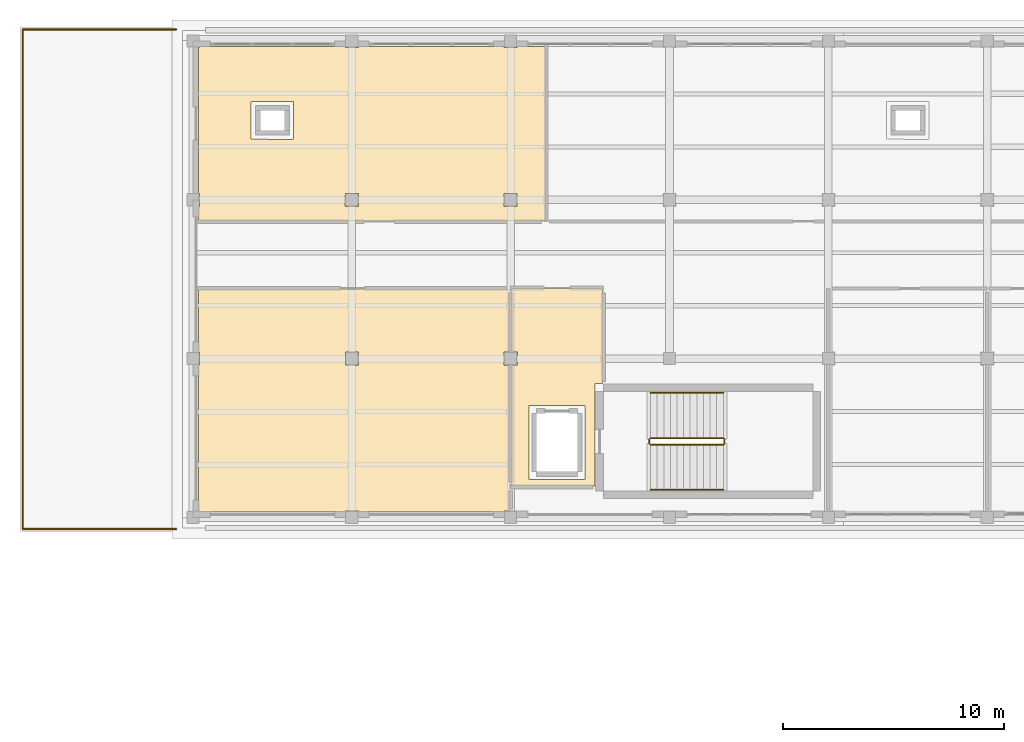
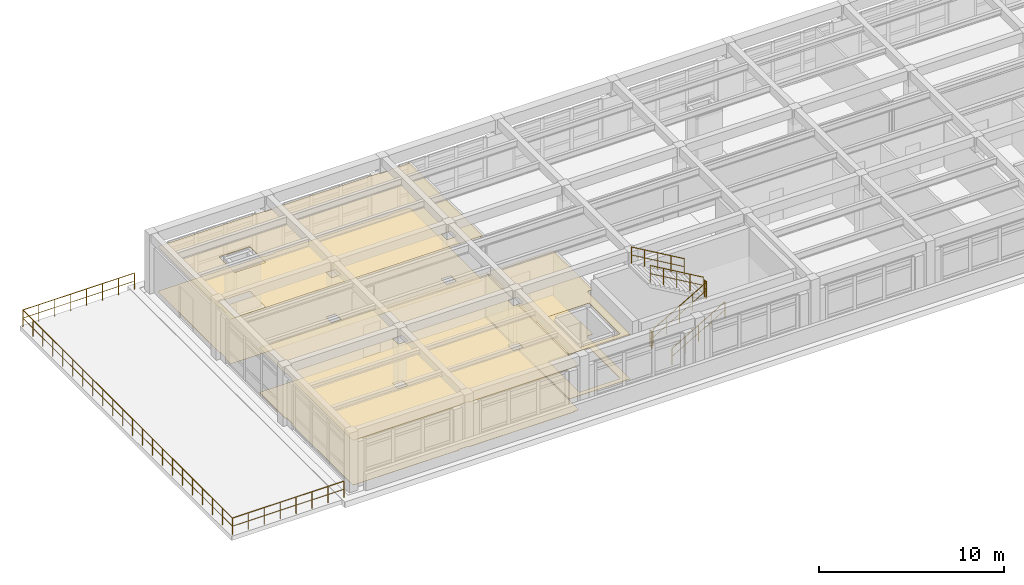
# One storey, part 18 of 21: 9 railings, 6 coverings.
"""IFC4 building model written with IfcOpenShell, lengths in metres."""

from ifc_helpers import new_model, si_unit, direction, frame, origin, origin_2d, place, context, subcontext, project, spatial, polyline, circle, outline, extrude, material, layer, layer_set, type_object, element, save


model = new_model("IFC4")

# Units and contexts
model_context = context("Model", 3, precision=1e-05, world=origin(), true_north=direction((0.0, 1.0)))
body_context = subcontext(model_context, "Body", "Model", "MODEL_VIEW")
ifc_project = project(units=[si_unit("LENGTHUNIT", "METRE"), si_unit("AREAUNIT", "SQUARE_METRE"), si_unit("VOLUMEUNIT", "CUBIC_METRE"), si_unit("PLANEANGLEUNIT", "RADIAN"), si_unit("MASSUNIT", "GRAM", prefix="KILO")], contexts=[model_context])

# Site, building, storey
site_placement = place(None, origin())
site = spatial("IfcSite", under=ifc_project, at=site_placement, CompositionType="ELEMENT")
building_placement = place(site_placement, origin())
building = spatial("IfcBuilding", under=site, at=building_placement, Name="Solenvale Faculty of Natural Sciences", CompositionType="ELEMENT")
storey_placement = place(building_placement, frame((0.0, 0.0, 31.199951171875)))
storey = spatial("IfcBuildingStorey", under=building, at=storey_placement, Name="L07", CompositionType="ELEMENT", Elevation=31.199951171875)

# Coverings
ifc_material_1 = material(Name="Acoustic mineral-timber ceiling", Category="wood")
ifc_layer_1 = layer(ifc_material_1, 0.02490234375)
ifc_layer_set_1 = layer_set([ifc_layer_1], Name="Acoustic mineral-timber ceiling")
covering_type_1 = type_object("IfcCoveringType", Name="COV-CEIL-AC25", PredefinedType="CEILING", material=ifc_layer_set_1)
covering_1_placement = place(storey_placement, frame((0.0, 0.0, 2.93505859375)))
element("IfcCovering", 1, at=covering_1_placement, inside=storey, type_object=covering_type_1, Name="L07 Firefighting Lobby C4 Acoustic Ceiling", PredefinedType="CEILING", context=body_context, shape_type="SweptSolid", body=[
    extrude(outline(polyline([(104.97998046875, 99.7099609375), (104.9560546875, 99.680908203125), (104.64794921875, 99.679931640625), (104.6201171875, 99.652099609375), (104.613037109375, 95.031005859375), (104.590087890625, 95.02001953125), (100.8310546875, 95.027099609375), (100.820068359375, 95.050048828125), (100.820068359375, 100.469970703125), (100.846923828125, 100.5), (101.09912109375, 100.506103515625), (101.10009765625, 101.089111328125), (101.089111328125, 101.10009765625), (100.846923828125, 101.10009765625), (100.820068359375, 101.126953125), (100.820068359375, 103.949951171875), (100.8291015625, 103.970947265625), (100.85009765625, 103.97998046875), (104.949951171875, 103.97998046875), (104.970947265625, 103.970947265625), (104.97998046875, 103.949951171875), (104.97998046875, 99.7099609375)]), holes=[polyline([(101.64794921875, 98.679931640625), (101.6279296875, 98.669921875), (101.6201171875, 98.64990234375), (101.6259765625, 95.33203125), (101.64990234375, 95.320068359375), (104.16796875, 95.325927734375), (104.179931640625, 95.35009765625), (104.174072265625, 98.66796875), (104.14990234375, 98.679931640625), (101.64794921875, 98.679931640625)])]), origin(), (0.0, 0.0, 1.0), 0.02490234375),
])
covering_2_placement = place(storey_placement, frame((0.0, 0.0, 2.93505859375)))
element("IfcCovering", 2, at=covering_2_placement, inside=storey, type_object=covering_type_1, Name="L07 Biophysics and Neurobiology Research Laboratory Acoustic Ceiling", PredefinedType="CEILING", context=body_context, shape_type="SweptSolid", body=[
    extrude(outline(polyline([(93.27001953125, 114.9599609375), (93.294921875, 114.947021484375), (93.31103515625, 114.89990234375), (93.89111328125, 114.89990234375), (93.905029296875, 114.947021484375), (93.929931640625, 114.9599609375), (100.469970703125, 114.9599609375), (100.4951171875, 114.947021484375), (100.510986328125, 114.89990234375), (101.091064453125, 114.89990234375), (101.10498046875, 114.947021484375), (101.1298828125, 114.9599609375), (102.368896484375, 114.952880859375), (102.3798828125, 114.929931640625), (102.373046875, 107.051025390625), (102.35009765625, 107.0400390625), (86.65087890625, 107.047119140625), (86.639892578125, 107.070068359375), (86.639892578125, 107.669921875), (86.653076171875, 107.695068359375), (86.699951171875, 107.708984375), (86.699951171875, 108.2890625), (86.653076171875, 108.304931640625), (86.639892578125, 108.330078125), (86.64697265625, 114.888916015625), (86.696044921875, 114.902099609375), (86.7041015625, 114.944091796875), (86.72998046875, 114.9599609375), (93.27001953125, 114.9599609375)]), holes=[polyline([(100.5, 107.7109375), (100.510986328125, 107.699951171875), (101.096923828125, 107.702880859375), (101.096923828125, 108.297119140625), (100.5029296875, 108.297119140625), (100.5, 107.7109375)]), polyline([(93.300048828125, 107.7109375), (93.31103515625, 107.699951171875), (93.89697265625, 107.702880859375), (93.89697265625, 108.297119140625), (93.302978515625, 108.297119140625), (93.300048828125, 107.7109375)]), polyline([(89.068115234375, 112.4599609375), (89.048095703125, 112.449951171875), (89.0400390625, 112.429931640625), (89.0400390625, 110.77001953125), (89.050048828125, 110.748046875), (90.929931640625, 110.739990234375), (90.951904296875, 110.75), (90.9599609375, 112.429931640625), (90.949951171875, 112.451904296875), (89.068115234375, 112.4599609375)])]), origin(), (0.0, 0.0, 1.0), 0.02490234375),
])
covering_3_placement = place(storey_placement, frame((0.0, 0.0, 2.93505859375)))
element("IfcCovering", 3, at=covering_3_placement, inside=storey, type_object=covering_type_1, Name="L07 Seminar Room Acoustic Ceiling", PredefinedType="CEILING", context=body_context, shape_type="SweptSolid", body=[
    extrude(outline(polyline([(100.72998046875, 103.9599609375), (100.7509765625, 103.950927734375), (100.760009765625, 103.929931640625), (100.760009765625, 101.126953125), (100.73291015625, 101.10009765625), (100.5009765625, 101.093994140625), (100.5, 100.510986328125), (100.510986328125, 100.5), (100.736083984375, 100.4990234375), (100.760009765625, 100.469970703125), (100.760009765625, 95.0), (100.780029296875, 94.950927734375), (100.780029296875, 93.929931640625), (100.76708984375, 93.905029296875), (100.508056640625, 93.89990234375), (100.4951171875, 93.85302734375), (100.469970703125, 93.840087890625), (93.929931640625, 93.840087890625), (93.905029296875, 93.85302734375), (93.888916015625, 93.89990234375), (93.30908203125, 93.89990234375), (93.294921875, 93.85302734375), (93.27001953125, 93.840087890625), (86.72998046875, 93.840087890625), (86.7041015625, 93.85595703125), (86.696044921875, 93.89794921875), (86.64501953125, 93.9130859375), (86.639892578125, 100.469970703125), (86.653076171875, 100.4951171875), (86.699951171875, 100.510986328125), (86.699951171875, 101.091064453125), (86.653076171875, 101.10498046875), (86.639892578125, 101.1298828125), (86.639892578125, 103.929931640625), (86.653076171875, 103.955078125), (100.72998046875, 103.9599609375)]), holes=[polyline([(93.888916015625, 100.5), (93.89990234375, 100.510986328125), (93.89697265625, 101.096923828125), (93.302978515625, 101.096923828125), (93.302978515625, 100.5029296875), (93.888916015625, 100.5)])]), origin(), (0.0, 0.0, 1.0), 0.02490234375),
])
ifc_material_2 = material(Name="Polished slate terrazzo flooring", Category="masonry")
ifc_layer_2 = layer(ifc_material_2, 0.01806640625)
ifc_layer_set_2 = layer_set([ifc_layer_2], Name="Polished slate terrazzo flooring")
covering_type_2 = type_object("IfcCoveringType", Name="COV-FLR-TRZ18", PredefinedType="FLOORING", material=ifc_layer_set_2)
covering_4_placement = place(storey_placement, origin())
element("IfcCovering", 4, at=covering_4_placement, inside=storey, type_object=covering_type_2, Name="L07 Firefighting Lobby C4 Floor Finish", PredefinedType="FLOORING", context=body_context, shape_type="SweptSolid", body=[
    extrude(outline(polyline([(104.97998046875, 99.7099609375), (104.9560546875, 99.680908203125), (104.64794921875, 99.679931640625), (104.6201171875, 99.652099609375), (104.613037109375, 95.031005859375), (104.590087890625, 95.02001953125), (100.8310546875, 95.027099609375), (100.820068359375, 95.050048828125), (100.820068359375, 100.469970703125), (100.846923828125, 100.5), (101.09912109375, 100.506103515625), (101.10009765625, 101.089111328125), (101.089111328125, 101.10009765625), (100.846923828125, 101.10009765625), (100.820068359375, 101.126953125), (100.820068359375, 103.949951171875), (100.8291015625, 103.970947265625), (100.85009765625, 103.97998046875), (104.949951171875, 103.97998046875), (104.970947265625, 103.970947265625), (104.97998046875, 103.949951171875), (104.97998046875, 99.7099609375)]), holes=[polyline([(101.64794921875, 98.679931640625), (101.6279296875, 98.669921875), (101.6201171875, 98.64990234375), (101.6259765625, 95.33203125), (101.64990234375, 95.320068359375), (104.16796875, 95.325927734375), (104.179931640625, 95.35009765625), (104.174072265625, 98.66796875), (104.14990234375, 98.679931640625), (101.64794921875, 98.679931640625)])]), origin(), (0.0, 0.0, 1.0), 0.01806640625),
])
covering_5_placement = place(storey_placement, origin())
element("IfcCovering", 5, at=covering_5_placement, inside=storey, type_object=covering_type_2, Name="L07 Seminar Room Floor Finish", PredefinedType="FLOORING", context=body_context, shape_type="SweptSolid", body=[
    extrude(outline(polyline([(100.72998046875, 103.9599609375), (100.7509765625, 103.950927734375), (100.760009765625, 103.929931640625), (100.760009765625, 101.126953125), (100.73291015625, 101.10009765625), (100.5009765625, 101.093994140625), (100.5, 100.510986328125), (100.510986328125, 100.5), (100.736083984375, 100.4990234375), (100.760009765625, 100.469970703125), (100.760009765625, 95.0), (100.780029296875, 94.950927734375), (100.780029296875, 93.929931640625), (100.76708984375, 93.905029296875), (100.508056640625, 93.89990234375), (100.4951171875, 93.85302734375), (100.469970703125, 93.840087890625), (93.929931640625, 93.840087890625), (93.905029296875, 93.85302734375), (93.888916015625, 93.89990234375), (93.30908203125, 93.89990234375), (93.294921875, 93.85302734375), (93.27001953125, 93.840087890625), (86.72998046875, 93.840087890625), (86.7041015625, 93.85595703125), (86.696044921875, 93.89794921875), (86.64501953125, 93.9130859375), (86.639892578125, 100.469970703125), (86.653076171875, 100.4951171875), (86.699951171875, 100.510986328125), (86.699951171875, 101.091064453125), (86.653076171875, 101.10498046875), (86.639892578125, 101.1298828125), (86.639892578125, 103.929931640625), (86.653076171875, 103.955078125), (100.72998046875, 103.9599609375)]), holes=[polyline([(93.888916015625, 100.5), (93.89990234375, 100.510986328125), (93.89697265625, 101.096923828125), (93.302978515625, 101.096923828125), (93.302978515625, 100.5029296875), (93.888916015625, 100.5)])]), origin(), (0.0, 0.0, 1.0), 0.01806640625),
])
ifc_material_3 = material(Name="Seamless laboratory vinyl flooring")
ifc_layer_3 = layer(ifc_material_3, 0.008056640625)
ifc_layer_set_3 = layer_set([ifc_layer_3], Name="Seamless laboratory vinyl flooring")
covering_type_3 = type_object("IfcCoveringType", Name="COV-FLR-VNL08", PredefinedType="FLOORING", material=ifc_layer_set_3)
covering_6_placement = place(storey_placement, origin())
element("IfcCovering", 6, at=covering_6_placement, inside=storey, type_object=covering_type_3, Name="L07 Biophysics and Neurobiology Research Laboratory Floor Finish", PredefinedType="FLOORING", context=body_context, shape_type="SweptSolid", body=[
    extrude(outline(polyline([(93.27001953125, 114.9599609375), (93.294921875, 114.947021484375), (93.31103515625, 114.89990234375), (93.89111328125, 114.89990234375), (93.905029296875, 114.947021484375), (93.929931640625, 114.9599609375), (100.469970703125, 114.9599609375), (100.4951171875, 114.947021484375), (100.510986328125, 114.89990234375), (101.091064453125, 114.89990234375), (101.10498046875, 114.947021484375), (101.1298828125, 114.9599609375), (102.368896484375, 114.952880859375), (102.3798828125, 114.929931640625), (102.373046875, 107.051025390625), (102.35009765625, 107.0400390625), (86.65087890625, 107.047119140625), (86.639892578125, 107.070068359375), (86.639892578125, 107.669921875), (86.653076171875, 107.695068359375), (86.699951171875, 107.708984375), (86.699951171875, 108.2890625), (86.653076171875, 108.304931640625), (86.639892578125, 108.330078125), (86.64697265625, 114.888916015625), (86.696044921875, 114.902099609375), (86.7041015625, 114.944091796875), (86.72998046875, 114.9599609375), (93.27001953125, 114.9599609375)]), holes=[polyline([(100.5, 107.7109375), (100.510986328125, 107.699951171875), (101.096923828125, 107.702880859375), (101.096923828125, 108.297119140625), (100.5029296875, 108.297119140625), (100.5, 107.7109375)]), polyline([(93.300048828125, 107.7109375), (93.31103515625, 107.699951171875), (93.89697265625, 107.702880859375), (93.89697265625, 108.297119140625), (93.302978515625, 108.297119140625), (93.300048828125, 107.7109375)]), polyline([(89.068115234375, 112.4599609375), (89.048095703125, 112.449951171875), (89.0400390625, 112.429931640625), (89.0400390625, 110.77001953125), (89.050048828125, 110.748046875), (90.929931640625, 110.739990234375), (90.951904296875, 110.75), (90.9599609375, 112.429931640625), (90.949951171875, 112.451904296875), (89.068115234375, 112.4599609375)])]), origin(), (0.0, 0.0, 1.0), 0.008056640625),
])

# Railings
ifc_material_4 = material(Name="Stainless steel Grade 304", Category="steel")
railing_type_1 = type_object("IfcRailingType", Name="RL-GRD-1100", PredefinedType="GUARDRAIL", material=ifc_material_4)
railing_1_placement = place(storey_placement, frame((107.139892578125, 96.89990234375, 0.175048828125)))
element("IfcRailing", 7, at=railing_1_placement, inside=storey, type_object=railing_type_1, Name="L07 ST-04 stair guard 1", PredefinedType="GUARDRAIL", context=body_context, shape_type="SweptSolid", body=[
    extrude(circle(Radius=0.02392578125, at=origin_2d()), frame((0.0, 0.0, 1.09619140625), z_axis=(0.863776583165, 0.0, 0.503874998761), x_axis=(0.0, 1.0, 0.0)), (0.0, 0.0, 1.0), 3.820556640625),
    extrude(circle(Radius=0.01611328125, at=origin_2d()), frame((0.0, 0.0, 0.56005859375), z_axis=(0.863776583165, 0.0, 0.503874998761), x_axis=(0.0, 1.0, 0.0)), (0.0, 0.0, 1.0), 3.820556640625),
    extrude(circle(Radius=0.02099609375, at=origin_2d()), origin(), (0.0, 0.0, 1.0), 1.072021484375),
    extrude(circle(Radius=0.02099609375, at=origin_2d()), frame((0.824951171875, 0.0, 0.481201171875)), (0.0, 0.0, 1.0), 1.072021484375),
    extrude(circle(Radius=0.02099609375, at=origin_2d()), frame((1.64990234375, 0.0, 0.96240234375)), (0.0, 0.0, 1.0), 1.072021484375),
    extrude(circle(Radius=0.02099609375, at=origin_2d()), frame((2.47509765625, 0.0, 1.44384765625)), (0.0, 0.0, 1.0), 1.072021484375),
    extrude(circle(Radius=0.02099609375, at=origin_2d()), frame((3.300048828125, 0.0, 1.925048828125)), (0.0, 0.0, 1.0), 1.072021484375),
])
railing_2_placement = place(storey_placement, frame((110.489990234375, 96.949951171875, 2.10009765625)))
element("IfcRailing", 8, at=railing_2_placement, inside=storey, type_object=railing_type_1, Name="L07 ST-04 stair guard 2", PredefinedType="GUARDRAIL", context=body_context, shape_type="SweptSolid", body=[
    extrude(circle(Radius=0.02392578125, at=origin_2d()), frame((0.0, 0.0, 1.09619140625), z_axis=(0.0, 1.0, 0.0), x_axis=(-1.0, 0.0, 0.0)), (0.0, 0.0, 1.0), 0.199951171875),
    extrude(circle(Radius=0.01611328125, at=origin_2d()), frame((0.0, 0.0, 0.56005859375), z_axis=(0.0, 1.0, 0.0), x_axis=(-1.0, 0.0, 0.0)), (0.0, 0.0, 1.0), 0.199951171875),
    extrude(circle(Radius=0.02099609375, at=origin_2d()), origin(), (0.0, 0.0, 1.0), 1.072021484375),
    extrude(circle(Radius=0.02099609375, at=origin_2d()), frame((0.0, 0.199951171875, 0.0)), (0.0, 0.0, 1.0), 1.072021484375),
])
railing_3_placement = place(storey_placement, frame((110.43994140625, 97.199951171875, 2.275146484375)))
element("IfcRailing", 9, at=railing_3_placement, inside=storey, type_object=railing_type_1, Name="L07 ST-04 stair guard 3", PredefinedType="GUARDRAIL", context=body_context, shape_type="SweptSolid", body=[
    extrude(circle(Radius=0.02392578125, at=origin_2d()), frame((0.0, 0.0, 1.09619140625), z_axis=(-0.863804395585, 0.0, 0.503827317807), x_axis=(0.0, -1.0, 0.0)), (0.0, 0.0, 1.0), 3.8203125),
    extrude(circle(Radius=0.01611328125, at=origin_2d()), frame((0.0, 0.0, 0.56005859375), z_axis=(-0.863804395585, 0.0, 0.503827317807), x_axis=(0.0, -1.0, 0.0)), (0.0, 0.0, 1.0), 3.8203125),
    extrude(circle(Radius=0.02099609375, at=origin_2d()), origin(), (0.0, 0.0, 1.0), 1.072021484375),
    extrude(circle(Radius=0.02099609375, at=origin_2d()), frame((-0.824951171875, 0.0, 0.481201171875)), (0.0, 0.0, 1.0), 1.072021484375),
    extrude(circle(Radius=0.02099609375, at=origin_2d()), frame((-1.64990234375, 0.0, 0.96240234375)), (0.0, 0.0, 1.0), 1.072021484375),
    extrude(circle(Radius=0.02099609375, at=origin_2d()), frame((-2.47509765625, 0.0, 1.443603515625)), (0.0, 0.0, 1.0), 1.072021484375),
    extrude(circle(Radius=0.02099609375, at=origin_2d()), frame((-3.300048828125, 0.0, 1.9248046875)), (0.0, 0.0, 1.0), 1.072021484375),
])
railing_4_placement = place(storey_placement, frame((107.090087890625, 96.949951171875, 0.0)))
element("IfcRailing", 10, at=railing_4_placement, inside=storey, type_object=railing_type_1, Name="L07 ST-04 stair guard 4", PredefinedType="GUARDRAIL", context=body_context, shape_type="SweptSolid", body=[
    extrude(circle(Radius=0.02392578125, at=origin_2d()), frame((0.0, 0.0, 1.09619140625), z_axis=(0.0, 1.0, 0.0), x_axis=(-1.0, 0.0, 0.0)), (0.0, 0.0, 1.0), 0.199951171875),
    extrude(circle(Radius=0.01611328125, at=origin_2d()), frame((0.0, 0.0, 0.56005859375), z_axis=(0.0, 1.0, 0.0), x_axis=(-1.0, 0.0, 0.0)), (0.0, 0.0, 1.0), 0.199951171875),
    extrude(circle(Radius=0.02099609375, at=origin_2d()), origin(), (0.0, 0.0, 1.0), 1.072021484375),
    extrude(circle(Radius=0.02099609375, at=origin_2d()), frame((0.0, 0.199951171875, 0.0)), (0.0, 0.0, 1.0), 1.072021484375),
])
railing_type_2 = type_object("IfcRailingType", Name="RL-HND-900", PredefinedType="HANDRAIL", material=ifc_material_4)
railing_5_placement = place(storey_placement, frame((107.139892578125, 94.85009765625, 0.175048828125)))
element("IfcRailing", 11, at=railing_5_placement, inside=storey, type_object=railing_type_2, Name="L07 ST-04 stair handrail 1", PredefinedType="HANDRAIL", context=body_context, shape_type="SweptSolid", body=[
    extrude(circle(Radius=0.02392578125, at=origin_2d()), frame((0.0, 0.0, 1.0751953125), z_axis=(0.863776583165, 0.0, 0.503874998761), x_axis=(0.0, 1.0, 0.0)), (0.0, 0.0, 1.0), 3.820556640625),
    extrude(circle(Radius=0.01611328125, at=origin_2d()), frame((0.0, 0.0, 0.549560546875), z_axis=(0.863776583165, 0.0, 0.503874998761), x_axis=(0.0, 1.0, 0.0)), (0.0, 0.0, 1.0), 3.820556640625),
    extrude(circle(Radius=0.02099609375, at=origin_2d()), origin(), (0.0, 0.0, 1.0), 1.051025390625),
    extrude(circle(Radius=0.02099609375, at=origin_2d()), frame((0.824951171875, 0.0, 0.481201171875)), (0.0, 0.0, 1.0), 1.051025390625),
    extrude(circle(Radius=0.02099609375, at=origin_2d()), frame((1.64990234375, 0.0, 0.96240234375)), (0.0, 0.0, 1.0), 1.051025390625),
    extrude(circle(Radius=0.02099609375, at=origin_2d()), frame((2.47509765625, 0.0, 1.44384765625)), (0.0, 0.0, 1.0), 1.051025390625),
    extrude(circle(Radius=0.02099609375, at=origin_2d()), frame((3.300048828125, 0.0, 1.925048828125)), (0.0, 0.0, 1.0), 1.051025390625),
])
railing_6_placement = place(storey_placement, frame((110.43994140625, 99.25, 2.275146484375)))
element("IfcRailing", 12, at=railing_6_placement, inside=storey, type_object=railing_type_2, Name="L07 ST-04 stair handrail 2", PredefinedType="HANDRAIL", context=body_context, shape_type="SweptSolid", body=[
    extrude(circle(Radius=0.02392578125, at=origin_2d()), frame((0.0, 0.0, 1.0751953125), z_axis=(-0.863804395585, 0.0, 0.503827317807), x_axis=(0.0, -1.0, 0.0)), (0.0, 0.0, 1.0), 3.8203125),
    extrude(circle(Radius=0.01611328125, at=origin_2d()), frame((0.0, 0.0, 0.549560546875), z_axis=(-0.863804395585, 0.0, 0.503827317807), x_axis=(0.0, -1.0, 0.0)), (0.0, 0.0, 1.0), 3.8203125),
    extrude(circle(Radius=0.02099609375, at=origin_2d()), origin(), (0.0, 0.0, 1.0), 1.051025390625),
    extrude(circle(Radius=0.02099609375, at=origin_2d()), frame((-0.824951171875, 0.0, 0.481201171875)), (0.0, 0.0, 1.0), 1.051025390625),
    extrude(circle(Radius=0.02099609375, at=origin_2d()), frame((-1.64990234375, 0.0, 0.96240234375)), (0.0, 0.0, 1.0), 1.051025390625),
    extrude(circle(Radius=0.02099609375, at=origin_2d()), frame((-2.47509765625, 0.0, 1.443603515625)), (0.0, 0.0, 1.0), 1.051025390625),
    extrude(circle(Radius=0.02099609375, at=origin_2d()), frame((-3.300048828125, 0.0, 1.9248046875)), (0.0, 0.0, 1.0), 1.051025390625),
])
railing_type_3 = type_object("IfcRailingType", Name="RL-TERR-1100", PredefinedType="GUARDRAIL", material=ifc_material_4)
railing_7_placement = place(storey_placement, frame((85.639892578125, 93.080078125, 0.0)))
element("IfcRailing", 13, at=railing_7_placement, inside=storey, type_object=railing_type_3, Name="L07 Terrace Guardrail 1.2", PredefinedType="GUARDRAIL", context=body_context, shape_type="SweptSolid", body=[
    extrude(circle(Radius=0.02392578125, at=origin_2d()), frame((0.0, 0.0, 1.09619140625), z_axis=(-1.0, 0.0, 0.0), x_axis=(0.0, -1.0, 0.0)), (0.0, 0.0, 1.0), 6.9599609375),
    extrude(circle(Radius=0.01611328125, at=origin_2d()), frame((0.0, 0.0, 0.56005859375), z_axis=(-1.0, 0.0, 0.0), x_axis=(0.0, -1.0, 0.0)), (0.0, 0.0, 1.0), 6.9599609375),
    extrude(circle(Radius=0.02099609375, at=origin_2d()), origin(), (0.0, 0.0, 1.0), 1.072021484375),
    extrude(circle(Radius=0.02099609375, at=origin_2d()), frame((-0.994384765625, 0.0, 0.0)), (0.0, 0.0, 1.0), 1.072021484375),
    extrude(circle(Radius=0.02099609375, at=origin_2d()), frame((-1.988525390625, 0.0, 0.0)), (0.0, 0.0, 1.0), 1.072021484375),
    extrude(circle(Radius=0.02099609375, at=origin_2d()), frame((-2.98291015625, 0.0, 0.0)), (0.0, 0.0, 1.0), 1.072021484375),
    extrude(circle(Radius=0.02099609375, at=origin_2d()), frame((-3.97705078125, 0.0, 0.0)), (0.0, 0.0, 1.0), 1.072021484375),
    extrude(circle(Radius=0.02099609375, at=origin_2d()), frame((-4.971435546875, 0.0, 0.0)), (0.0, 0.0, 1.0), 1.072021484375),
    extrude(circle(Radius=0.02099609375, at=origin_2d()), frame((-5.965576171875, 0.0, 0.0)), (0.0, 0.0, 1.0), 1.072021484375),
    extrude(circle(Radius=0.02099609375, at=origin_2d()), frame((-6.9599609375, 0.0, 0.0)), (0.0, 0.0, 1.0), 1.072021484375),
])
railing_8_placement = place(storey_placement, frame((78.679931640625, 93.080078125, 0.0)))
element("IfcRailing", 14, at=railing_8_placement, inside=storey, type_object=railing_type_3, Name="L07 Terrace Guardrail 1.3", PredefinedType="GUARDRAIL", context=body_context, shape_type="SweptSolid", body=[
    extrude(circle(Radius=0.02392578125, at=origin_2d()), frame((0.0, 0.0, 1.09619140625), z_axis=(0.0, 1.0, 0.0), x_axis=(-1.0, 0.0, 0.0)), (0.0, 0.0, 1.0), 22.639892578125),
    extrude(circle(Radius=0.01611328125, at=origin_2d()), frame((0.0, 0.0, 0.56005859375), z_axis=(0.0, 1.0, 0.0), x_axis=(-1.0, 0.0, 0.0)), (0.0, 0.0, 1.0), 22.639892578125),
    extrude(circle(Radius=0.02099609375, at=origin_2d()), origin(), (0.0, 0.0, 1.0), 1.072021484375),
    extrude(circle(Radius=0.02099609375, at=origin_2d()), frame((0.0, 1.078125, 0.0)), (0.0, 0.0, 1.0), 1.072021484375),
    extrude(circle(Radius=0.02099609375, at=origin_2d()), frame((0.0, 2.15625, 0.0)), (0.0, 0.0, 1.0), 1.072021484375),
    extrude(circle(Radius=0.02099609375, at=origin_2d()), frame((0.0, 3.234375, 0.0)), (0.0, 0.0, 1.0), 1.072021484375),
    extrude(circle(Radius=0.02099609375, at=origin_2d()), frame((0.0, 4.312255859375, 0.0)), (0.0, 0.0, 1.0), 1.072021484375),
    extrude(circle(Radius=0.02099609375, at=origin_2d()), frame((0.0, 5.390380859375, 0.0)), (0.0, 0.0, 1.0), 1.072021484375),
    extrude(circle(Radius=0.02099609375, at=origin_2d()), frame((0.0, 6.468505859375, 0.0)), (0.0, 0.0, 1.0), 1.072021484375),
    extrude(circle(Radius=0.02099609375, at=origin_2d()), frame((0.0, 7.546630859375, 0.0)), (0.0, 0.0, 1.0), 1.072021484375),
    extrude(circle(Radius=0.02099609375, at=origin_2d()), frame((0.0, 8.624755859375, 0.0)), (0.0, 0.0, 1.0), 1.072021484375),
    extrude(circle(Radius=0.02099609375, at=origin_2d()), frame((0.0, 9.702880859375, 0.0)), (0.0, 0.0, 1.0), 1.072021484375),
    extrude(circle(Radius=0.02099609375, at=origin_2d()), frame((0.0, 10.781005859375, 0.0)), (0.0, 0.0, 1.0), 1.072021484375),
    extrude(circle(Radius=0.02099609375, at=origin_2d()), frame((0.0, 11.85888671875, 0.0)), (0.0, 0.0, 1.0), 1.072021484375),
    extrude(circle(Radius=0.02099609375, at=origin_2d()), frame((0.0, 12.93701171875, 0.0)), (0.0, 0.0, 1.0), 1.072021484375),
    extrude(circle(Radius=0.02099609375, at=origin_2d()), frame((0.0, 14.01513671875, 0.0)), (0.0, 0.0, 1.0), 1.072021484375),
    extrude(circle(Radius=0.02099609375, at=origin_2d()), frame((0.0, 15.09326171875, 0.0)), (0.0, 0.0, 1.0), 1.072021484375),
    extrude(circle(Radius=0.02099609375, at=origin_2d()), frame((0.0, 16.17138671875, 0.0)), (0.0, 0.0, 1.0), 1.072021484375),
    extrude(circle(Radius=0.02099609375, at=origin_2d()), frame((0.0, 17.24951171875, 0.0)), (0.0, 0.0, 1.0), 1.072021484375),
    extrude(circle(Radius=0.02099609375, at=origin_2d()), frame((0.0, 18.32763671875, 0.0)), (0.0, 0.0, 1.0), 1.072021484375),
    extrude(circle(Radius=0.02099609375, at=origin_2d()), frame((0.0, 19.405517578125, 0.0)), (0.0, 0.0, 1.0), 1.072021484375),
    extrude(circle(Radius=0.02099609375, at=origin_2d()), frame((0.0, 20.483642578125, 0.0)), (0.0, 0.0, 1.0), 1.072021484375),
    extrude(circle(Radius=0.02099609375, at=origin_2d()), frame((0.0, 21.561767578125, 0.0)), (0.0, 0.0, 1.0), 1.072021484375),
    extrude(circle(Radius=0.02099609375, at=origin_2d()), frame((0.0, 22.639892578125, 0.0)), (0.0, 0.0, 1.0), 1.072021484375),
])
railing_9_placement = place(storey_placement, frame((78.679931640625, 115.719970703125, 0.0)))
element("IfcRailing", 15, at=railing_9_placement, inside=storey, type_object=railing_type_3, Name="L07 Terrace Guardrail 1.4", PredefinedType="GUARDRAIL", context=body_context, shape_type="SweptSolid", body=[
    extrude(circle(Radius=0.02392578125, at=origin_2d()), frame((0.0, 0.0, 1.09619140625), z_axis=(1.0, 0.0, 0.0), x_axis=(0.0, 1.0, 0.0)), (0.0, 0.0, 1.0), 6.9599609375),
    extrude(circle(Radius=0.01611328125, at=origin_2d()), frame((0.0, 0.0, 0.56005859375), z_axis=(1.0, 0.0, 0.0), x_axis=(0.0, 1.0, 0.0)), (0.0, 0.0, 1.0), 6.9599609375),
    extrude(circle(Radius=0.02099609375, at=origin_2d()), origin(), (0.0, 0.0, 1.0), 1.072021484375),
    extrude(circle(Radius=0.02099609375, at=origin_2d()), frame((0.994384765625, 0.0, 0.0)), (0.0, 0.0, 1.0), 1.072021484375),
    extrude(circle(Radius=0.02099609375, at=origin_2d()), frame((1.988525390625, 0.0, 0.0)), (0.0, 0.0, 1.0), 1.072021484375),
    extrude(circle(Radius=0.02099609375, at=origin_2d()), frame((2.98291015625, 0.0, 0.0)), (0.0, 0.0, 1.0), 1.072021484375),
    extrude(circle(Radius=0.02099609375, at=origin_2d()), frame((3.97705078125, 0.0, 0.0)), (0.0, 0.0, 1.0), 1.072021484375),
    extrude(circle(Radius=0.02099609375, at=origin_2d()), frame((4.971435546875, 0.0, 0.0)), (0.0, 0.0, 1.0), 1.072021484375),
    extrude(circle(Radius=0.02099609375, at=origin_2d()), frame((5.965576171875, 0.0, 0.0)), (0.0, 0.0, 1.0), 1.072021484375),
    extrude(circle(Radius=0.02099609375, at=origin_2d()), frame((6.9599609375, 0.0, 0.0)), (0.0, 0.0, 1.0), 1.072021484375),
])

save(model, "model.ifc")
